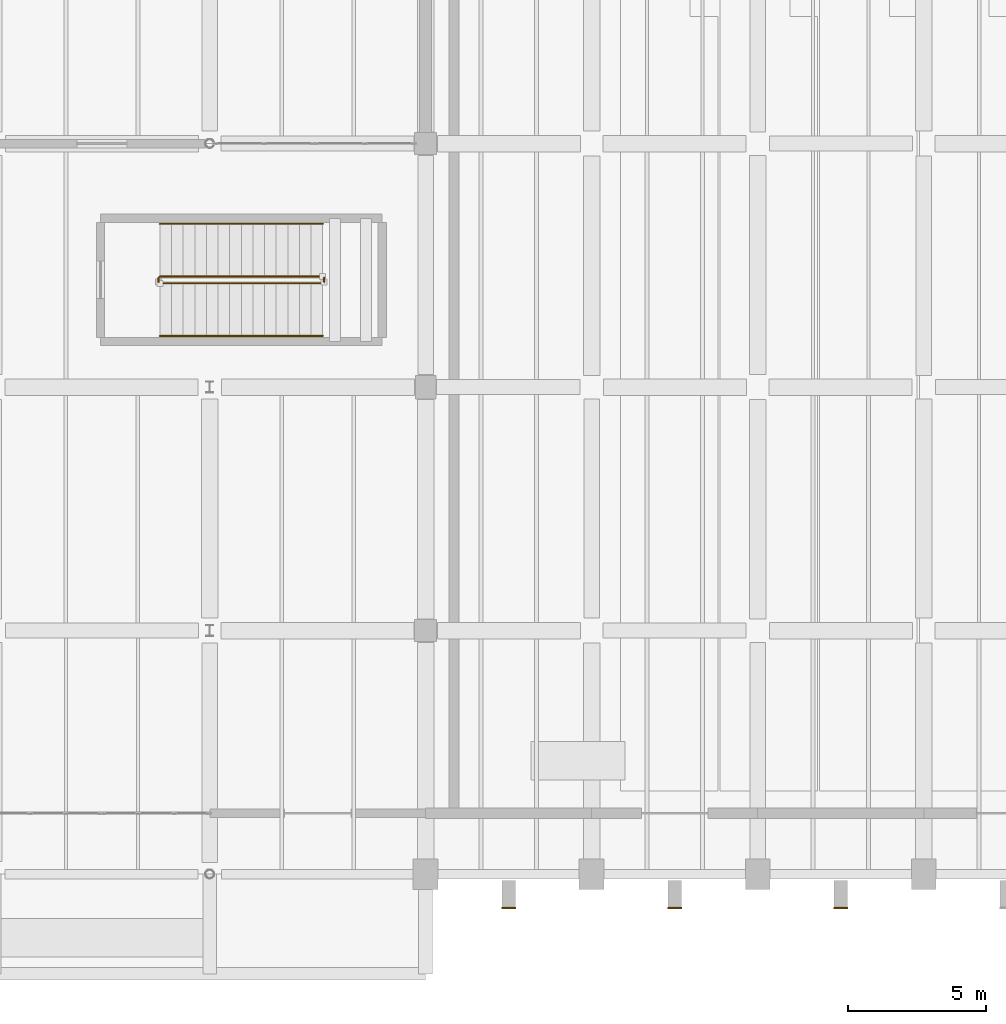
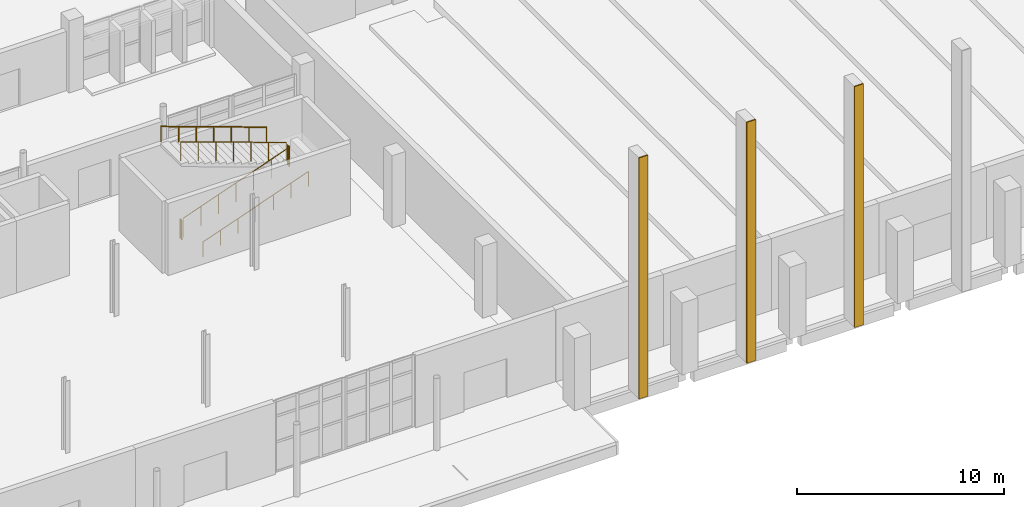
# One storey, part 70 of 76: 6 railings, 3 coverings.
"""IFC4 building model written with IfcOpenShell, lengths in metres."""

import ifcopenshell
import ifcopenshell.guid

model = None  # the IFC model being written
_history = None  # IfcOwnerHistory: only IFC2X3 demands one
_inside = {}  # id of a spatial element -> (the spatial element, [elements in it])
_under = {}  # id of a project, library or spatial element -> (it, [spatial elements below it])
_declared = {}  # id of a project -> (the project, [libraries it declares])
_typed = {}  # id of a type object -> (the type object, [elements of that type])
_made_of = {}  # id of a material, layer set ... -> (it, [elements and type objects made of it])


def new_model(schema):
    """Start an empty IFC model of exactly this schema.

    Asked for "IFC4X3", IfcOpenShell would pick the latest addendum, in which some entities
    have other attributes; the version numbers below select the first issue.
    IFC2X3 requires an IfcOwnerHistory on every rooted entity: one is made here for all.
    """
    global model, _history
    if schema == "IFC4X3":
        model = ifcopenshell.file(schema_version=(4, 3, 0, 0))
    else:
        model = ifcopenshell.file(schema=schema)
    _inside.clear()
    _under.clear()
    _declared.clear()
    _typed.clear()
    _made_of.clear()
    _history = None
    if model.schema == "IFC2X3":
        org = make("IfcOrganization", Name="unknown")
        user = make(
            "IfcPersonAndOrganization",
            ThePerson=make("IfcPerson", FamilyName="unknown"),
            TheOrganization=org,
        )
        app = make(
            "IfcApplication",
            ApplicationDeveloper=org,
            Version="unknown",
            ApplicationFullName="unknown",
            ApplicationIdentifier="unknown",
        )
        _history = make(
            "IfcOwnerHistory",
            OwningUser=user,
            OwningApplication=app,
            ChangeAction="ADDED",
            CreationDate=0,
        )
    return model


def make(cls, **values):
    """One entity of the class cls with the attributes given. An attribute that is None is left unset."""
    return model.create_entity(
        cls, **{name: value for name, value in values.items() if value is not None}
    )


def rooted(cls, **values):
    """An entity with a GlobalId (a new one), such as an element, a storey or a relation."""
    return make(cls, GlobalId=ifcopenshell.guid.new(), OwnerHistory=_history, **values)


def si_unit(unit_type, name, prefix=None):
    """IfcSIUnit, for example si_unit("LENGTHUNIT", "METRE", prefix="MILLI")."""
    return make("IfcSIUnit", UnitType=unit_type, Prefix=prefix, Name=name)


def assignment(units):
    """IfcUnitAssignment: the units of a project."""
    return None if units is None else make("IfcUnitAssignment", Units=units)


def point(xyz):
    """IfcCartesianPoint."""
    return None if xyz is None else make("IfcCartesianPoint", Coordinates=xyz)


def direction(xyz):
    """IfcDirection."""
    return None if xyz is None else make("IfcDirection", DirectionRatios=xyz)


def frame(location, z_axis=None, x_axis=None):
    """IfcAxis2Placement3D, a coordinate frame: its origin and axes. An axis left out is left unset."""
    return make(
        "IfcAxis2Placement3D",
        Location=point(location),
        Axis=direction(z_axis),
        RefDirection=direction(x_axis),
    )


def frame_2d(location, x_axis=None):
    """IfcAxis2Placement2D, a coordinate frame in the plane: its origin and x axis."""
    return make(
        "IfcAxis2Placement2D", Location=point(location), RefDirection=direction(x_axis)
    )


def origin():
    """The frame at (0, 0, 0) with its axes left unset."""
    return frame((0.0, 0.0, 0.0))


def origin_2d():
    """The frame at (0, 0) in the plane with its x axis left unset."""
    return frame_2d((0.0, 0.0))


def place(relative_to, where):
    """IfcLocalPlacement: puts the frame where relative to a parent placement (None: the world)."""
    return make(
        "IfcLocalPlacement", PlacementRelTo=relative_to, RelativePlacement=where
    )


def context(
    kind, dimensions, precision=None, world=None, true_north=None, identifier=None
):
    """IfcGeometricRepresentationContext, for example the 3D "Model" context."""
    return make(
        "IfcGeometricRepresentationContext",
        ContextIdentifier=identifier,
        ContextType=kind,
        CoordinateSpaceDimension=dimensions,
        Precision=precision,
        WorldCoordinateSystem=world,
        TrueNorth=true_north,
    )


def subcontext(parent, identifier, kind, view, scale=None):
    """IfcGeometricRepresentationSubContext, for example "Body" below "Model"."""
    return make(
        "IfcGeometricRepresentationSubContext",
        ContextIdentifier=identifier,
        ContextType=kind,
        ParentContext=parent,
        TargetScale=scale,
        TargetView=view,
    )


def project(units=None, contexts=None):
    """IfcProject with its units and contexts."""
    return rooted(
        "IfcProject",
        Name="project",
        RepresentationContexts=contexts,
        UnitsInContext=assignment(units),
    )


def spatial(cls, under=None, at=None, **own):
    """A site, building, storey or space (cls), placed at a placement, below another one or the project."""
    s = rooted(cls, ObjectPlacement=at, **own)
    if under is not None:
        _under.setdefault(under.id(), (under, []))[1].append(s)
    return s


def profile(cls, at=None, kind="AREA", **sizes):
    """A parametric profile (cls). Its sizes go by their IFC names, for example OverallWidth=200.0."""
    return make(cls, ProfileType=kind, Position=at, **sizes)


def rectangle(**sizes):
    """IfcRectangleProfileDef."""
    return profile("IfcRectangleProfileDef", **sizes)


def circle(**sizes):
    """IfcCircleProfileDef."""
    return profile("IfcCircleProfileDef", **sizes)


def extrude(swept, where, along, depth):
    """IfcExtrudedAreaSolid: the profile swept, set in the frame where, extruded along a direction by depth."""
    return make(
        "IfcExtrudedAreaSolid",
        SweptArea=swept,
        Position=where,
        ExtrudedDirection=direction(along),
        Depth=depth,
    )


def shape(context_of_items, identifier, shape_type, items):
    """IfcShapeRepresentation: the items that make up one representation, for example the "Body"."""
    return make(
        "IfcShapeRepresentation",
        ContextOfItems=context_of_items,
        RepresentationIdentifier=identifier,
        RepresentationType=shape_type,
        Items=items,
    )


def material(Name=None, Category=None):
    """IfcMaterial."""
    return make("IfcMaterial", Name=Name, Category=Category)


def layer(
    of_material, thickness, ventilated=None, Name=None, Category=None, Priority=None
):
    """IfcMaterialLayer: one layer of a wall or slab, of a material (None: an air gap)."""
    return make(
        "IfcMaterialLayer",
        Material=of_material,
        LayerThickness=thickness,
        IsVentilated=ventilated,
        Name=Name,
        Category=Category,
        Priority=Priority,
    )


def layer_set(layers, Name=None):
    """IfcMaterialLayerSet."""
    return make("IfcMaterialLayerSet", MaterialLayers=layers, LayerSetName=Name)


def made_of(thing, what):
    """Note that an element or type object is made of a material, layer set ...; save() writes the relation."""
    if what is not None:
        _made_of.setdefault(what.id(), (what, []))[1].append(thing)
    return thing


def type_object(cls, material=None, **own):
    """A type object (cls), such as IfcWallType, which elements share."""
    return made_of(rooted(cls, **own), material)


def element(
    cls,
    number,
    at=None,
    inside=None,
    cuts=None,
    type_object=None,
    material=None,
    context=None,
    identifier="Body",
    shape_type=None,
    held_by="IfcProductDefinitionShape",
    body=None,
    shapes=None,
    **own,
):
    """One element of the class cls, such as IfcWall. Its Tag is "e" and its number.

    at: its placement. inside: the storey or other place that contains it. cuts: it is an
    opening in that element (IfcRelVoidsElement). A single representation is given by context,
    identifier, shape_type and body (its items); several are given by shapes. held_by: the class
    of the entity that holds the representations. save() writes the other relations.
    """
    e = rooted(cls, Tag="e%d" % number, ObjectPlacement=at, **own)
    if body is not None:
        shapes = [shape(context, identifier, shape_type, body)]
    if shapes is not None:
        e.Representation = make(held_by, Representations=shapes)
    if inside is not None:
        _inside.setdefault(inside.id(), (inside, []))[1].append(e)
    if cuts is not None:
        rooted(
            "IfcRelVoidsElement", RelatingBuildingElement=cuts, RelatedOpeningElement=e
        )
    if type_object is not None:
        _typed.setdefault(type_object.id(), (type_object, []))[1].append(e)
    return made_of(e, material)


def aggregate(whole, parts):
    """IfcRelAggregates: a whole, such as a stair, and the parts it consists of."""
    return rooted("IfcRelAggregates", RelatingObject=whole, RelatedObjects=parts)


def save(model, path):
    """Write the relations noted so far, then the file.

    IfcRelAggregates (storeys below a building ...), IfcRelContainedInSpatialStructure (elements
    in a storey), IfcRelDefinesByType, IfcRelAssociatesMaterial and IfcRelDeclares: one each for
    every whole, place, type object, material and project.
    """
    for whole, parts in _under.values():
        aggregate(whole, parts)
    for where, things in _inside.values():
        rooted(
            "IfcRelContainedInSpatialStructure",
            RelatedElements=things,
            RelatingStructure=where,
        )
    for kind, things in _typed.values():
        rooted("IfcRelDefinesByType", RelatedObjects=things, RelatingType=kind)
    for what, things in _made_of.values():
        rooted("IfcRelAssociatesMaterial", RelatedObjects=things, RelatingMaterial=what)
    for by, libraries in _declared.values():
        rooted("IfcRelDeclares", RelatingContext=by, RelatedDefinitions=libraries)
    model.write(path)


model = new_model("IFC4")

# Units and contexts
model_context = context("Model", 3, precision=1e-05, world=origin(), true_north=direction((0.0, 1.0)))
body_context = subcontext(model_context, "Body", "Model", "MODEL_VIEW")
ifc_project = project(units=[si_unit("LENGTHUNIT", "METRE"), si_unit("AREAUNIT", "SQUARE_METRE"), si_unit("VOLUMEUNIT", "CUBIC_METRE"), si_unit("PLANEANGLEUNIT", "RADIAN"), si_unit("MASSUNIT", "GRAM", prefix="KILO")], contexts=[model_context])

# Site, building, storey
site_placement = place(None, origin())
site = spatial("IfcSite", under=ifc_project, at=site_placement, CompositionType="ELEMENT")
building_placement = place(site_placement, origin())
building = spatial("IfcBuilding", under=site, at=building_placement, Name="Varnakota Cinema and Media Centre", CompositionType="ELEMENT")
storey_placement = place(building_placement, origin())
storey = spatial("IfcBuildingStorey", under=building, at=storey_placement, Name="L00", CompositionType="ELEMENT", Elevation=0.0)

# Coverings
ifc_material_1 = material(Name="Pale Tandur limestone cladding", Category="masonry")
ifc_layer_1 = layer(ifc_material_1, 0.06005859375)
ifc_layer_set_1 = layer_set([ifc_layer_1], Name="Pale Tandur limestone cladding")
covering_type = type_object("IfcCoveringType", Name="COV-TANDUR-ASHLAR-60", PredefinedType="CLADDING", material=ifc_layer_set_1)
for number, where, z_axis, x_axis, name in (
    (1, (78.0, -1.22509765625, 0.0), (0.0, 0.0, 1.0), (1.0, 0.0, 0.0), "Hall south buttress pale stone nose 1"),
    (2, (84.0, -1.22509765625, 0.0), (0.0, 0.0, 1.0), (1.0, 0.0, 0.0), "Hall south buttress pale stone nose 2"),
    (3, (90.0, -1.22509765625, 0.0), (0.0, 0.0, 1.0), (1.0, 0.0, 0.0), "Hall south buttress pale stone nose 3"),
):
    element("IfcCovering", number, at=place(storey_placement, frame(where, z_axis=z_axis, x_axis=x_axis)), inside=storey, type_object=covering_type, Name=name, PredefinedType="CLADDING", context=body_context, shape_type="SweptSolid", body=[
        extrude(rectangle(XDim=0.5, YDim=0.06005859375, at=origin_2d()), origin(), (0.0, 0.0, 1.0), 14.199951171875),
    ])

# Railings
ifc_material_2 = material(Name="Structural steel Grade 350 (E350)", Category="steel")
ifc_layer_2 = layer(ifc_material_2, 0.050048828125)
ifc_layer_set_2 = layer_set([ifc_layer_2], Name="Structural steel Grade 350 (E350)")
railing_type_1 = type_object("IfcRailingType", Name="RAIL-STAIR-GUARD-1150", PredefinedType="GUARDRAIL", material=ifc_layer_set_2)
railing_1_placement = place(storey_placement, frame((65.39990234375, 21.35009765625, 0.14990234375)))
element("IfcRailing", 4, at=railing_1_placement, inside=storey, type_object=railing_type_1, Name="L00 ST-04 stair guard 1", PredefinedType="GUARDRAIL", context=body_context, shape_type="SweptSolid", body=[
    extrude(circle(Radius=0.02392578125, at=origin_2d()), frame((0.0, 0.0, 1.1259765625), z_axis=(0.941739257675, 0.0, 0.336343827881), x_axis=(0.0, 1.0, 0.0)), (0.0, 0.0, 1.0), 6.243896484375),
    extrude(circle(Radius=0.02099609375, at=origin_2d()), origin(), (0.0, 0.0, 1.0), 1.101806640625),
    extrude(circle(Radius=0.02099609375, at=origin_2d()), frame((0.97998046875, 0.0, 0.35009765625)), (0.0, 0.0, 1.0), 1.101806640625),
    extrude(circle(Radius=0.02099609375, at=origin_2d()), frame((1.9599609375, 0.0, 0.699951171875)), (0.0, 0.0, 1.0), 1.101806640625),
    extrude(circle(Radius=0.02099609375, at=origin_2d()), frame((2.93994140625, 0.0, 1.050048828125)), (0.0, 0.0, 1.0), 1.101806640625),
    extrude(circle(Radius=0.02099609375, at=origin_2d()), frame((3.920166015625, 0.0, 1.400146484375)), (0.0, 0.0, 1.0), 1.101806640625),
    extrude(circle(Radius=0.02099609375, at=origin_2d()), frame((4.900146484375, 0.0, 1.75)), (0.0, 0.0, 1.0), 1.101806640625),
    extrude(circle(Radius=0.02099609375, at=origin_2d()), frame((5.880126953125, 0.0, 2.10009765625)), (0.0, 0.0, 1.0), 1.101806640625),
])
railing_2_placement = place(storey_placement, frame((71.330078125, 21.39990234375, 2.25)))
element("IfcRailing", 5, at=railing_2_placement, inside=storey, type_object=railing_type_1, Name="L00 ST-04 stair guard 2", PredefinedType="GUARDRAIL", context=body_context, shape_type="SweptSolid", body=[
    extrude(circle(Radius=0.02392578125, at=origin_2d()), frame((0.0, 0.0, 1.1259765625), z_axis=(0.0, 1.0, 0.0), x_axis=(-1.0, 0.0, 0.0)), (0.0, 0.0, 1.0), 0.150146484375),
    extrude(circle(Radius=0.02099609375, at=origin_2d()), origin(), (0.0, 0.0, 1.0), 1.101806640625),
    extrude(circle(Radius=0.02099609375, at=origin_2d()), frame((0.0, 0.150146484375, 0.0)), (0.0, 0.0, 1.0), 1.101806640625),
])
railing_3_placement = place(storey_placement, frame((71.280029296875, 21.60009765625, 2.39990234375)))
element("IfcRailing", 6, at=railing_3_placement, inside=storey, type_object=railing_type_1, Name="L00 ST-04 stair guard 3", PredefinedType="GUARDRAIL", context=body_context, shape_type="SweptSolid", body=[
    extrude(circle(Radius=0.02392578125, at=origin_2d()), frame((0.0, 0.0, 1.1259765625), z_axis=(-0.941739257675, 0.0, 0.336343827881), x_axis=(0.0, -1.0, 0.0)), (0.0, 0.0, 1.0), 6.243896484375),
    extrude(circle(Radius=0.02099609375, at=origin_2d()), origin(), (0.0, 0.0, 1.0), 1.101806640625),
    extrude(circle(Radius=0.02099609375, at=origin_2d()), frame((-0.97998046875, 0.0, 0.35009765625)), (0.0, 0.0, 1.0), 1.101806640625),
    extrude(circle(Radius=0.02099609375, at=origin_2d()), frame((-1.9599609375, 0.0, 0.699951171875)), (0.0, 0.0, 1.0), 1.101806640625),
    extrude(circle(Radius=0.02099609375, at=origin_2d()), frame((-2.93994140625, 0.0, 1.050048828125)), (0.0, 0.0, 1.0), 1.101806640625),
    extrude(circle(Radius=0.02099609375, at=origin_2d()), frame((-3.920166015625, 0.0, 1.400146484375)), (0.0, 0.0, 1.0), 1.101806640625),
    extrude(circle(Radius=0.02099609375, at=origin_2d()), frame((-4.900146484375, 0.0, 1.75)), (0.0, 0.0, 1.0), 1.101806640625),
    extrude(circle(Radius=0.02099609375, at=origin_2d()), frame((-5.880126953125, 0.0, 2.10009765625)), (0.0, 0.0, 1.0), 1.101806640625),
])
railing_4_placement = place(storey_placement, frame((65.35009765625, 21.39990234375, 0.0)))
element("IfcRailing", 7, at=railing_4_placement, inside=storey, type_object=railing_type_1, Name="L00 ST-04 stair guard 4", PredefinedType="GUARDRAIL", context=body_context, shape_type="SweptSolid", body=[
    extrude(circle(Radius=0.02392578125, at=origin_2d()), frame((0.0, 0.0, 1.1259765625), z_axis=(0.0, 1.0, 0.0), x_axis=(-1.0, 0.0, 0.0)), (0.0, 0.0, 1.0), 0.150146484375),
    extrude(circle(Radius=0.02099609375, at=origin_2d()), origin(), (0.0, 0.0, 1.0), 1.101806640625),
    extrude(circle(Radius=0.02099609375, at=origin_2d()), frame((0.0, 0.150146484375, 0.0)), (0.0, 0.0, 1.0), 1.101806640625),
])
ifc_material_3 = material(Name="Structural steel Grade 350 (E350)", Category="steel")
ifc_layer_3 = layer(ifc_material_3, 0.048095703125)
ifc_layer_set_3 = layer_set([ifc_layer_3], Name="Structural steel Grade 350 (E350)")
railing_type_2 = type_object("IfcRailingType", Name="RAIL-STAIR-HAND-900", PredefinedType="HANDRAIL", material=ifc_layer_set_3)
railing_5_placement = place(storey_placement, frame((65.39990234375, 19.449951171875, 0.14990234375)))
element("IfcRailing", 8, at=railing_5_placement, inside=storey, type_object=railing_type_2, Name="L00 ST-04 stair handrail 1", PredefinedType="HANDRAIL", context=body_context, shape_type="SweptSolid", body=[
    extrude(circle(Radius=0.02392578125, at=origin_2d()), frame((0.0, 0.0, 0.8759765625), z_axis=(0.941739257675, 0.0, 0.336343827881), x_axis=(0.0, 1.0, 0.0)), (0.0, 0.0, 1.0), 6.243896484375),
    extrude(circle(Radius=0.02099609375, at=origin_2d()), origin(), (0.0, 0.0, 1.0), 0.851806640625),
    extrude(circle(Radius=0.02099609375, at=origin_2d()), frame((0.97998046875, 0.0, 0.35009765625)), (0.0, 0.0, 1.0), 0.851806640625),
    extrude(circle(Radius=0.02099609375, at=origin_2d()), frame((1.9599609375, 0.0, 0.699951171875)), (0.0, 0.0, 1.0), 0.851806640625),
    extrude(circle(Radius=0.02099609375, at=origin_2d()), frame((2.93994140625, 0.0, 1.050048828125)), (0.0, 0.0, 1.0), 0.851806640625),
    extrude(circle(Radius=0.02099609375, at=origin_2d()), frame((3.920166015625, 0.0, 1.400146484375)), (0.0, 0.0, 1.0), 0.851806640625),
    extrude(circle(Radius=0.02099609375, at=origin_2d()), frame((4.900146484375, 0.0, 1.75)), (0.0, 0.0, 1.0), 0.851806640625),
    extrude(circle(Radius=0.02099609375, at=origin_2d()), frame((5.880126953125, 0.0, 2.10009765625)), (0.0, 0.0, 1.0), 0.851806640625),
])
railing_6_placement = place(storey_placement, frame((71.280029296875, 23.5, 2.39990234375)))
element("IfcRailing", 9, at=railing_6_placement, inside=storey, type_object=railing_type_2, Name="L00 ST-04 stair handrail 2", PredefinedType="HANDRAIL", context=body_context, shape_type="SweptSolid", body=[
    extrude(circle(Radius=0.02392578125, at=origin_2d()), frame((0.0, 0.0, 0.8759765625), z_axis=(-0.941739257675, 0.0, 0.336343827881), x_axis=(0.0, -1.0, 0.0)), (0.0, 0.0, 1.0), 6.243896484375),
    extrude(circle(Radius=0.02099609375, at=origin_2d()), origin(), (0.0, 0.0, 1.0), 0.851806640625),
    extrude(circle(Radius=0.02099609375, at=origin_2d()), frame((-0.97998046875, 0.0, 0.35009765625)), (0.0, 0.0, 1.0), 0.851806640625),
    extrude(circle(Radius=0.02099609375, at=origin_2d()), frame((-1.9599609375, 0.0, 0.699951171875)), (0.0, 0.0, 1.0), 0.851806640625),
    extrude(circle(Radius=0.02099609375, at=origin_2d()), frame((-2.93994140625, 0.0, 1.050048828125)), (0.0, 0.0, 1.0), 0.851806640625),
    extrude(circle(Radius=0.02099609375, at=origin_2d()), frame((-3.920166015625, 0.0, 1.400146484375)), (0.0, 0.0, 1.0), 0.851806640625),
    extrude(circle(Radius=0.02099609375, at=origin_2d()), frame((-4.900146484375, 0.0, 1.75)), (0.0, 0.0, 1.0), 0.851806640625),
    extrude(circle(Radius=0.02099609375, at=origin_2d()), frame((-5.880126953125, 0.0, 2.10009765625)), (0.0, 0.0, 1.0), 0.851806640625),
])

save(model, "model.ifc")
